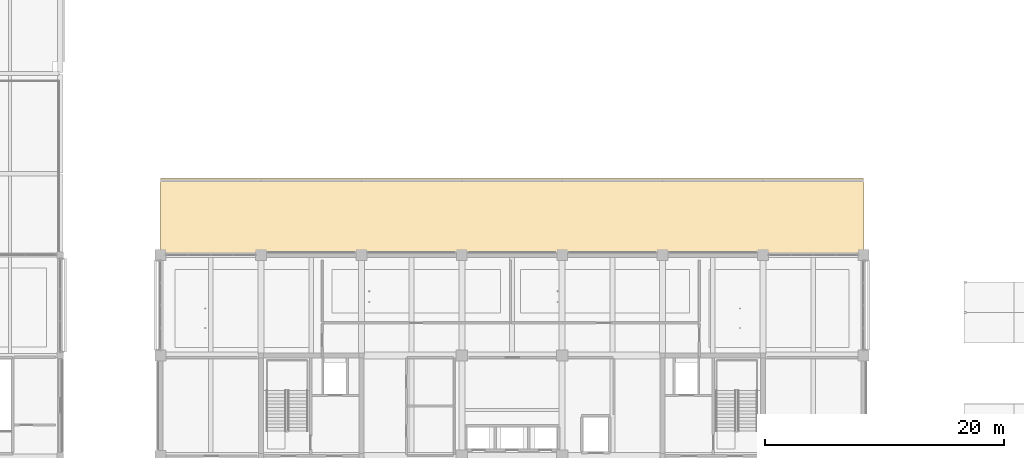
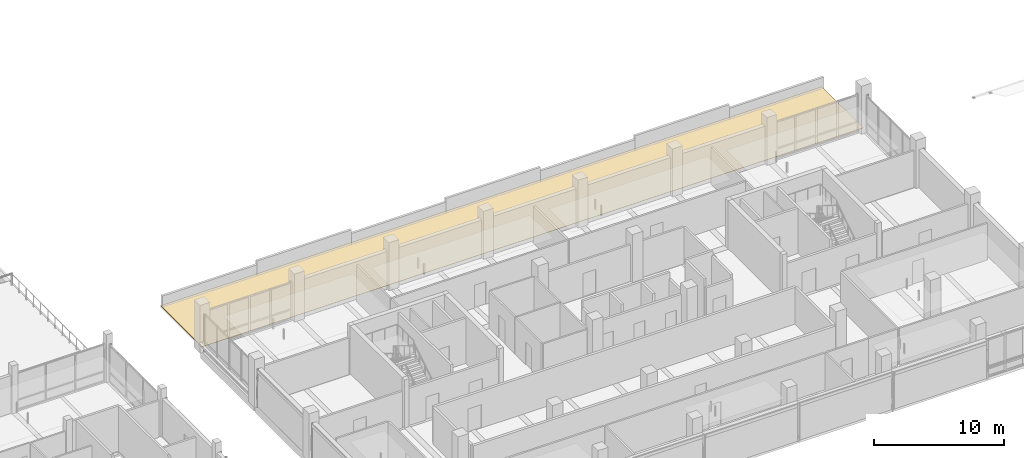
# One storey, part 57 of 59: 1 covering.
"""IFC4 building model written with IfcOpenShell, lengths in metres."""

from ifc_helpers import new_model, si_unit, direction, frame, origin, place, context, subcontext, project, spatial, polyline, outline, extrude, material, layer, layer_set, type_object, element, save


model = new_model("IFC4")

# Units and contexts
model_context = context("Model", 3, precision=1e-05, world=origin(), true_north=direction((0.0, 1.0)))
body_context = subcontext(model_context, "Body", "Model", "MODEL_VIEW")
ifc_project = project(units=[si_unit("LENGTHUNIT", "METRE"), si_unit("AREAUNIT", "SQUARE_METRE"), si_unit("VOLUMEUNIT", "CUBIC_METRE"), si_unit("PLANEANGLEUNIT", "RADIAN"), si_unit("MASSUNIT", "GRAM", prefix="KILO")], contexts=[model_context])

# Site, building, storey
site_placement = place(None, origin())
site = spatial("IfcSite", under=ifc_project, at=site_placement, CompositionType="ELEMENT")
building_placement = place(site_placement, origin())
building = spatial("IfcBuilding", under=site, at=building_placement, Name="Telukmera Botanical Conservatory", CompositionType="ELEMENT")
storey_placement = place(building_placement, frame((0.0, 0.0, 15.0)))
storey = spatial("IfcBuildingStorey", under=building, at=storey_placement, Name="L03", CompositionType="ELEMENT", Elevation=15.0)

# Covering
ifc_material = material(Name="Elastomeric bituminous waterproof roofing membrane")
ifc_layer = layer(ifc_material, 0.030029296875)
ifc_layer_set = layer_set([ifc_layer], Name="Elastomeric bituminous waterproof roofing membrane")
covering_type = type_object("IfcCoveringType", Name="Elastomeric Bituminous Waterproof Roof Membrane", PredefinedType="ROOFING", material=ifc_layer_set)
covering_placement = place(storey_placement, frame((0.0, 0.0, 0.159912109375)))
element("IfcCovering", 1, at=covering_placement, inside=storey, type_object=covering_type, Name="Tower North Podium Setback Waterproof Membrane", PredefinedType="ROOFING", context=body_context, shape_type="SweptSolid", body=[
    extrude(outline(polyline([(50.39990234375, 42.800048828125), (109.199951171875, 42.800048828125), (109.199951171875, 49.199951171875), (50.39990234375, 49.199951171875), (50.39990234375, 42.800048828125)])), origin(), (0.0, 0.0, 1.0), 0.030029296875),
])

save(model, "model.ifc")
